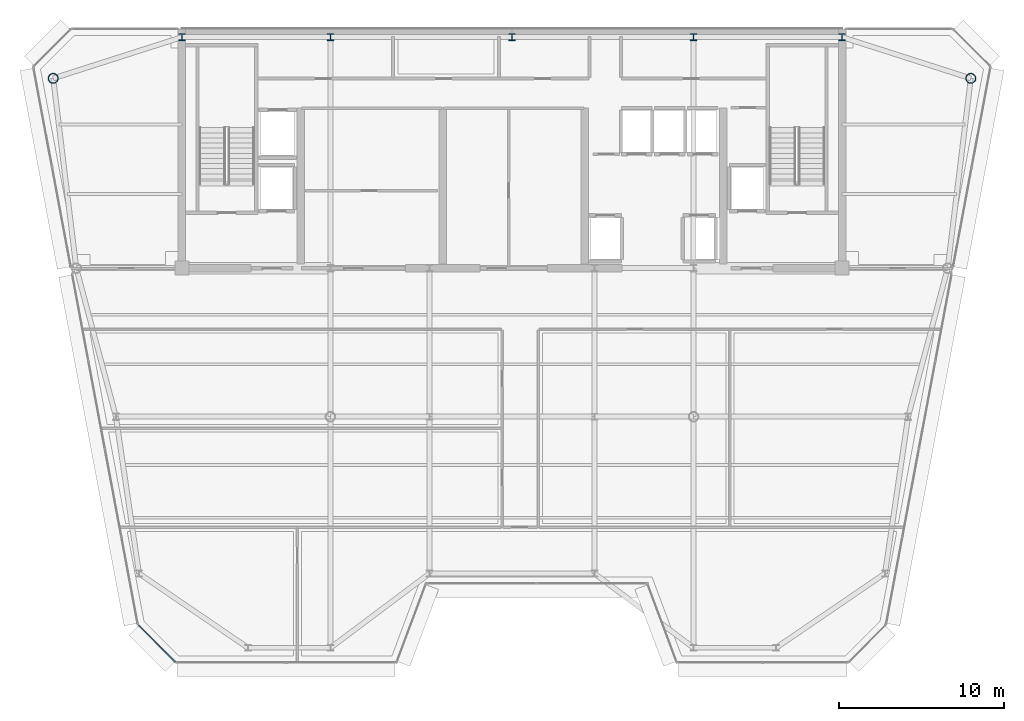
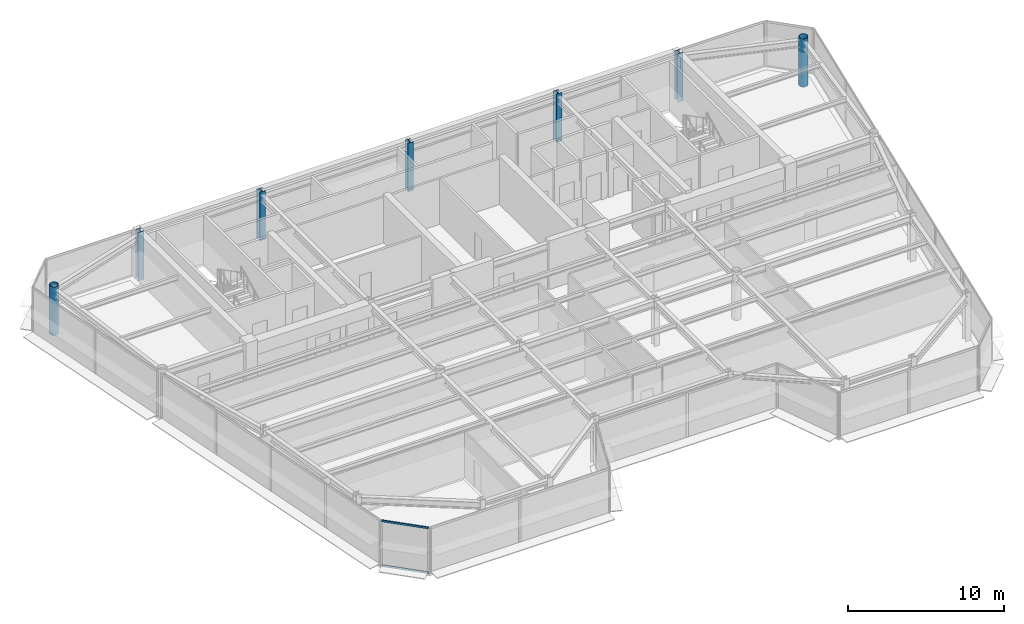
# One storey, part 2 of 19: 7 columns, 2 members, 1 element without a shape of its own.
"""IFC4 building model written with IfcOpenShell, lengths in metres."""

from ifc_helpers import new_model, si_unit, direction, frame, origin, origin_2d, place, context, subcontext, project, spatial, rectangle, hollow_circle, i_section, extrude, source, transform, mapped, material, layer, layer_set, material_profile, profile_set, type_object, element, aggregate, save


model = new_model("IFC4")

# Units and contexts
model_context = context("Model", 3, precision=1e-05, world=origin(), true_north=direction((0.0, 1.0)))
body_context = subcontext(model_context, "Body", "Model", "MODEL_VIEW")
ifc_project = project(units=[si_unit("LENGTHUNIT", "METRE"), si_unit("AREAUNIT", "SQUARE_METRE"), si_unit("VOLUMEUNIT", "CUBIC_METRE"), si_unit("PLANEANGLEUNIT", "RADIAN"), si_unit("MASSUNIT", "GRAM", prefix="KILO")], contexts=[model_context])

# Site, building, storey
site_placement = place(None, origin())
site = spatial("IfcSite", under=ifc_project, at=site_placement, CompositionType="ELEMENT")
building_placement = place(site_placement, origin())
building = spatial("IfcBuilding", under=site, at=building_placement, Name="Vaeldorn Concourse Tower", CompositionType="ELEMENT")
storey_placement = place(building_placement, frame((0.0, 0.0, 272.60009765625)))
storey = spatial("IfcBuildingStorey", under=building, at=storey_placement, Name="L70", CompositionType="ELEMENT", Elevation=272.60009765625)

# Columns
ifc_material_1 = material(Name="Steel S355", Category="steel")
ifc_material_profile_1 = material_profile(ifc_material_1, i_section(OverallWidth=0.406005859375, OverallDepth=0.416015625, WebThickness=0.02978515625, FlangeThickness=0.0419921875, FilletRadius=0.014892578125, at=origin_2d()), Name="HD 400x382")
ifc_profile_set_1 = profile_set([ifc_material_profile_1], Name="Steel S355")
column_type_1 = type_object("IfcColumnType", Name="COL-HD382", PredefinedType="COLUMN", material=ifc_profile_set_1)
shared_shape_1 = source(origin(), body_context, "Body", "SweptSolid", [
    extrude(i_section(OverallWidth=0.406005859375, OverallDepth=0.416015625, WebThickness=0.02978515625, FlangeThickness=0.0419921875, FilletRadius=0.014892578125, at=origin_2d()), origin(), (0.0, 0.0, 1.0), 3.7998046875),
])
for number, where, z_axis, x_axis, name in (
    (1, (14.0, 50.5, 0.0), (0.0, 0.0, 1.0), (1.0, 0.0, 0.0), "Column C-HC1 L70"),
    (2, (23.0, 50.5, 0.0), (0.0, 0.0, 1.0), (1.0, 0.0, 0.0), "Column C-HC2 L70"),
    (3, (34.0, 50.5, 0.0), (0.0, 0.0, 1.0), (1.0, 0.0, 0.0), "Column C-HC3 L70"),
    (4, (45.0, 50.5, 0.0), (0.0, 0.0, 1.0), (1.0, 0.0, 0.0), "Column C-HC4 L70"),
    (5, (54.0, 50.5, 0.0), (0.0, 0.0, 1.0), (1.0, 0.0, 0.0), "Column C-HC5 L70"),
):
    element("IfcColumn", number, at=place(storey_placement, frame(where, z_axis=z_axis, x_axis=x_axis)), inside=storey, type_object=column_type_1, Name=name, PredefinedType="COLUMN", context=body_context, shape_type="MappedRepresentation", body=[
        mapped(shared_shape_1, transform((0.0, 0.0, 0.0), scale=1.0)),
    ])
ifc_material_profile_2 = material_profile(ifc_material_1, hollow_circle(Radius=0.304931640625, WallThickness=0.030029296875, at=origin_2d()), Name="CHS 610x30")
ifc_profile_set_2 = profile_set([ifc_material_profile_2], Name="Steel S355")
column_type_2 = type_object("IfcColumnType", Name="COL-CHS610", PredefinedType="COLUMN", material=ifc_profile_set_2)
shared_shape_2 = source(origin(), body_context, "Body", "SweptSolid", [
    extrude(hollow_circle(Radius=0.304931640625, WallThickness=0.030029296875, at=origin_2d()), origin(), (0.0, 0.0, 1.0), 3.7998046875),
])
for number, where, z_axis, x_axis, name in (
    (6, (6.199951171875, 48.0, 0.0), (0.0, 0.0, 1.0), (1.0, 0.0, 0.0), "Column C-NW1 L70"),
    (7, (61.800048828125, 48.0, 0.0), (0.0, 0.0, 1.0), (1.0, 0.0, 0.0), "Column C-NE1 L70"),
):
    element("IfcColumn", number, at=place(storey_placement, frame(where, z_axis=z_axis, x_axis=x_axis)), inside=storey, type_object=column_type_2, Name=name, PredefinedType="COLUMN", context=body_context, shape_type="MappedRepresentation", body=[
        mapped(shared_shape_2, transform((0.0, 0.0, 0.0), scale=1.0)),
    ])

# Curtain wall, members
ifc_material_2 = material(Name="Anodised Bronze Aluminium", Category="aluminium")
ifc_layer = layer(ifc_material_2, 0.179931640625)
ifc_layer_set = layer_set([ifc_layer], Name="Anodised Bronze Aluminium")
curtain_wall_type = type_object("IfcCurtainWallType", Name="CW-SYS-05", PredefinedType="NOTDEFINED", material=ifc_layer_set)
curtain_wall_placement = place(storey_placement, origin())
curtain_wall = element("IfcCurtainWall", 8, at=curtain_wall_placement, inside=storey, type_object=curtain_wall_type, Name="Unitised Curtain Wall CW-L70-E12-1", PredefinedType="NOTDEFINED")
ifc_material_profile_3 = material_profile(ifc_material_2, rectangle(XDim=0.06494140625, YDim=0.14990234375, at=origin_2d()), Name="CWT 65x150")
ifc_profile_set_3 = profile_set([ifc_material_profile_3], Name="Anodised Bronze Aluminium")
member_type = type_object("IfcMemberType", Name="CWT-BRONZE-150", PredefinedType="USERDEFINED", material=ifc_profile_set_3)
shared_shape_3 = source(origin(), body_context, "Body", "SweptSolid", [
    extrude(rectangle(XDim=0.06494140625, YDim=0.14990234375, at=origin_2d()), origin(), (0.0, 0.0, 1.0), 3.12255859375),
])
member_1_placement = place(storey_placement, frame((11.382080078125, 14.85400390625, 0.032470703125), z_axis=(0.707106781187, -0.707106781187, 0.0), x_axis=(0.707106781187, 0.707106781187, 0.0)))
member_1 = element("IfcMember", 9, at=member_1_placement, type_object=member_type, Name="CW-05 transom 1.1", ObjectType="TRANSOM", PredefinedType="USERDEFINED", context=body_context, shape_type="MappedRepresentation", body=[
    mapped(shared_shape_3, transform((0.0, 0.0, 0.0), scale=1.0)),
])
member_2_placement = place(storey_placement, frame((11.382080078125, 14.85400390625, 3.54736328125), z_axis=(0.707106781187, -0.707106781187, 0.0), x_axis=(0.707106781187, 0.707106781187, 0.0)))
member_2 = element("IfcMember", 10, at=member_2_placement, type_object=member_type, Name="CW-05 transom 1.2", ObjectType="TRANSOM", PredefinedType="USERDEFINED", context=body_context, shape_type="MappedRepresentation", body=[
    mapped(shared_shape_3, transform((0.0, 0.0, 0.0), scale=1.0)),
])
aggregate(curtain_wall, [member_1, member_2])

save(model, "model.ifc")
